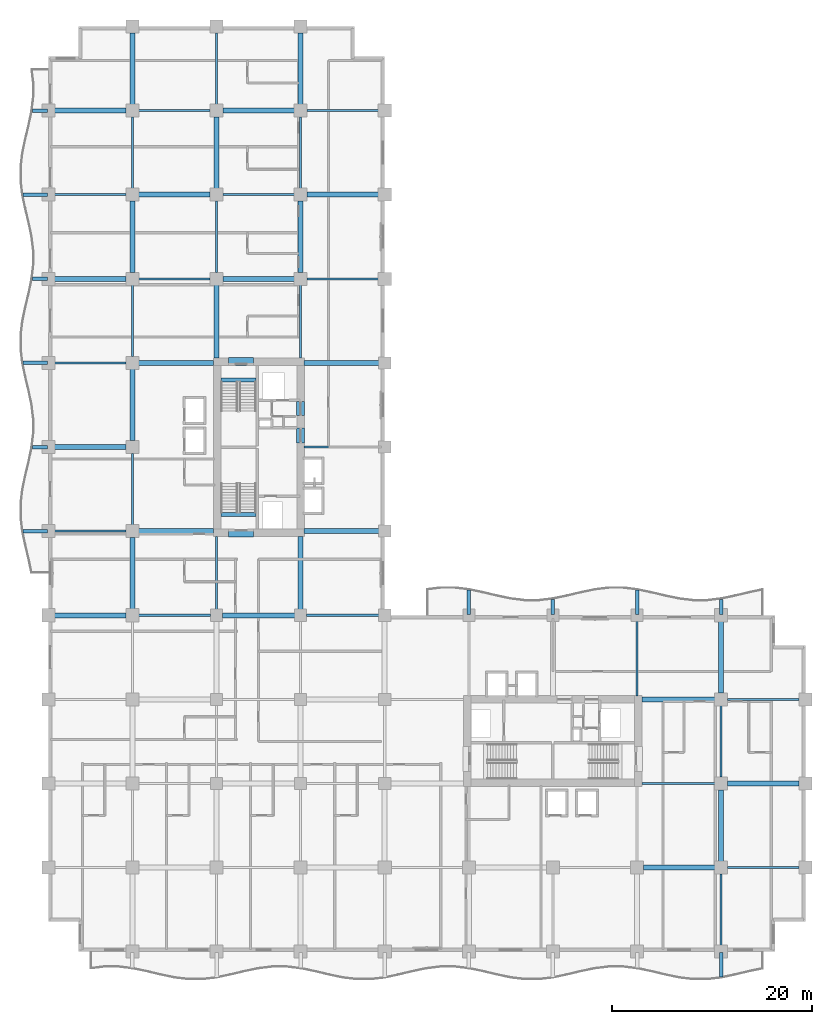
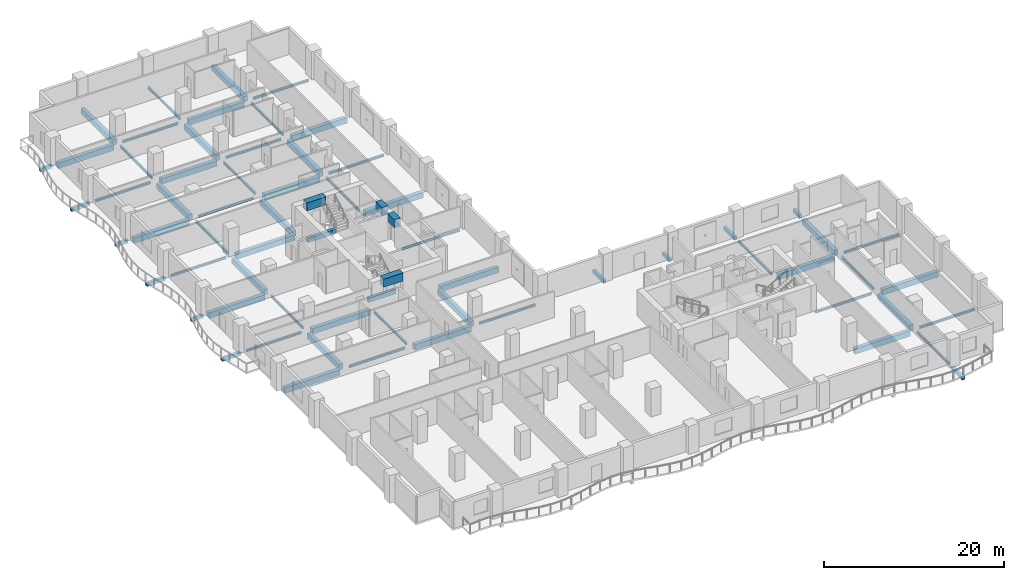
# One storey, part 2 of 18: 69 beams.
"""IFC4 building model written with IfcOpenShell, lengths in metres."""

from ifc_helpers import new_model, si_unit, direction, frame, origin, origin_2d, place, context, subcontext, project, spatial, rectangle, i_section, extrude, material, material_profile, profile_set, type_object, element, save


model = new_model("IFC4")

# Units and contexts
model_context = context("Model", 3, precision=1e-05, world=origin(), true_north=direction((0.0, 1.0)))
body_context = subcontext(model_context, "Body", "Model", "MODEL_VIEW")
ifc_project = project(units=[si_unit("LENGTHUNIT", "METRE"), si_unit("AREAUNIT", "SQUARE_METRE"), si_unit("VOLUMEUNIT", "CUBIC_METRE"), si_unit("PLANEANGLEUNIT", "RADIAN"), si_unit("MASSUNIT", "GRAM", prefix="KILO")], contexts=[model_context])

# Site, building, storey
site_placement = place(None, origin())
site = spatial("IfcSite", under=ifc_project, at=site_placement, CompositionType="ELEMENT")
building_placement = place(site_placement, origin())
building = spatial("IfcBuilding", under=site, at=building_placement, Name="Koriwani Terraces Tower", CompositionType="ELEMENT")
storey_placement = place(building_placement, frame((0.0, 0.0, 100.0)))
storey = spatial("IfcBuildingStorey", under=building, at=storey_placement, Name="L23", CompositionType="ELEMENT", Elevation=100.0)

# Beams
ifc_material_1 = material(Name="Concrete C40/50", Category="concrete")
ifc_material_profile_1 = material_profile(ifc_material_1, rectangle(XDim=0.35009765625, YDim=0.449951171875, at=origin_2d()), Name="Concrete C40/50", Category="LoadBearing")
ifc_profile_set_1 = profile_set([ifc_material_profile_1], Name="Concrete C40/50")
beam_type_1 = type_object("IfcBeamType", Name="BEAM_RC_BALCONY_RIB_350X450", PredefinedType="JOIST", material=ifc_profile_set_1)
for number, where, z_axis, x_axis, name in (
    (1, (67.199951171875, -2.509521484375, -0.47509765625), (0.0, 1.0, 0.0), (-1.0, 0.0, 0.0), "L23 Balcony Bracket Rib S-8"),
    (2, (-2.509521484375, 42.0, -0.47509765625), (1.0, 0.0, 0.0), (0.0, 1.0, 0.0), "L23 Balcony Bracket Rib W-1"),
):
    element("IfcBeam", number, at=place(storey_placement, frame(where, z_axis=z_axis, x_axis=x_axis)), inside=storey, type_object=beam_type_1, Name=name, PredefinedType="JOIST", context=body_context, shape_type="SweptSolid", body=[
        extrude(rectangle(XDim=0.35009765625, YDim=0.449951171875, at=origin_2d()), origin(), (0.0, 0.0, 1.0), 2.409423828125),
    ])
beam_1_placement = place(storey_placement, frame((-1.59033203125, 50.39990234375, -0.47509765625), z_axis=(1.0, 0.0, 0.0), x_axis=(0.0, 1.0, 0.0)))
element("IfcBeam", 3, at=beam_1_placement, inside=storey, type_object=beam_type_1, Name="L23 Balcony Bracket Rib W-2", PredefinedType="JOIST", context=body_context, shape_type="SweptSolid", body=[
    extrude(rectangle(XDim=0.35009765625, YDim=0.449951171875, at=origin_2d()), origin(), (0.0, 0.0, 1.0), 1.490234375),
])
beam_2_placement = place(storey_placement, frame((-2.509521484375, 58.800048828125, -0.47509765625), z_axis=(1.0, 0.0, 0.0), x_axis=(0.0, 1.0, 0.0)))
element("IfcBeam", 4, at=beam_2_placement, inside=storey, type_object=beam_type_1, Name="L23 Balcony Bracket Rib W-3", PredefinedType="JOIST", context=body_context, shape_type="SweptSolid", body=[
    extrude(rectangle(XDim=0.35009765625, YDim=0.449951171875, at=origin_2d()), origin(), (0.0, 0.0, 1.0), 2.409423828125),
])
beam_3_placement = place(storey_placement, frame((-1.59033203125, 67.199951171875, -0.47509765625), z_axis=(1.0, 0.0, 0.0), x_axis=(0.0, 1.0, 0.0)))
element("IfcBeam", 5, at=beam_3_placement, inside=storey, type_object=beam_type_1, Name="L23 Balcony Bracket Rib W-4", PredefinedType="JOIST", context=body_context, shape_type="SweptSolid", body=[
    extrude(rectangle(XDim=0.35009765625, YDim=0.449951171875, at=origin_2d()), origin(), (0.0, 0.0, 1.0), 1.490234375),
])
beam_4_placement = place(storey_placement, frame((-2.509521484375, 75.60009765625, -0.47509765625), z_axis=(1.0, 0.0, 0.0), x_axis=(0.0, 1.0, 0.0)))
element("IfcBeam", 6, at=beam_4_placement, inside=storey, type_object=beam_type_1, Name="L23 Balcony Bracket Rib W-5", PredefinedType="JOIST", context=body_context, shape_type="SweptSolid", body=[
    extrude(rectangle(XDim=0.35009765625, YDim=0.449951171875, at=origin_2d()), origin(), (0.0, 0.0, 1.0), 2.409423828125),
])
beam_5_placement = place(storey_placement, frame((-1.59033203125, 84.0, -0.47509765625), z_axis=(1.0, 0.0, 0.0), x_axis=(0.0, 1.0, 0.0)))
element("IfcBeam", 7, at=beam_5_placement, inside=storey, type_object=beam_type_1, Name="L23 Balcony Bracket Rib W-6", PredefinedType="JOIST", context=body_context, shape_type="SweptSolid", body=[
    extrude(rectangle(XDim=0.35009765625, YDim=0.449951171875, at=origin_2d()), origin(), (0.0, 0.0, 1.0), 1.490234375),
])
beam_6_placement = place(storey_placement, frame((42.0, 33.699951171875, -0.47509765625), z_axis=(0.0, 1.0, 0.0), x_axis=(-1.0, 0.0, 0.0)))
element("IfcBeam", 8, at=beam_6_placement, inside=storey, type_object=beam_type_1, Name="L23 Balcony Bracket Rib NE-1", PredefinedType="JOIST", context=body_context, shape_type="SweptSolid", body=[
    extrude(rectangle(XDim=0.35009765625, YDim=0.449951171875, at=origin_2d()), origin(), (0.0, 0.0, 1.0), 2.40966796875),
])
beam_7_placement = place(storey_placement, frame((50.39990234375, 33.699951171875, -0.47509765625), z_axis=(0.0, 1.0, 0.0), x_axis=(-1.0, 0.0, 0.0)))
element("IfcBeam", 9, at=beam_7_placement, inside=storey, type_object=beam_type_1, Name="L23 Balcony Bracket Rib NE-2", PredefinedType="JOIST", context=body_context, shape_type="SweptSolid", body=[
    extrude(rectangle(XDim=0.35009765625, YDim=0.449951171875, at=origin_2d()), origin(), (0.0, 0.0, 1.0), 1.490478515625),
])
beam_8_placement = place(storey_placement, frame((58.800048828125, 33.699951171875, -0.47509765625), z_axis=(0.0, 1.0, 0.0), x_axis=(-1.0, 0.0, 0.0)))
element("IfcBeam", 10, at=beam_8_placement, inside=storey, type_object=beam_type_1, Name="L23 Balcony Bracket Rib NE-3", PredefinedType="JOIST", context=body_context, shape_type="SweptSolid", body=[
    extrude(rectangle(XDim=0.35009765625, YDim=0.449951171875, at=origin_2d()), origin(), (0.0, 0.0, 1.0), 2.40966796875),
])
beam_9_placement = place(storey_placement, frame((67.199951171875, 33.699951171875, -0.47509765625), z_axis=(0.0, 1.0, 0.0), x_axis=(-1.0, 0.0, 0.0)))
element("IfcBeam", 11, at=beam_9_placement, inside=storey, type_object=beam_type_1, Name="L23 Balcony Bracket Rib NE-4", PredefinedType="JOIST", context=body_context, shape_type="SweptSolid", body=[
    extrude(rectangle(XDim=0.35009765625, YDim=0.449951171875, at=origin_2d()), origin(), (0.0, 0.0, 1.0), 1.490478515625),
])
ifc_material_2 = material(Name="Concrete C60/75", Category="concrete")
ifc_material_profile_2 = material_profile(ifc_material_2, rectangle(XDim=0.800048828125, YDim=1.10009765625, at=origin_2d()), Name="Concrete C60/75", Category="LoadBearing")
ifc_profile_set_2 = profile_set([ifc_material_profile_2], Name="Concrete C60/75")
beam_type_2 = type_object("IfcBeamType", Name="BEAM_RC_COUPLING_800X1100", PredefinedType="LINTEL", material=ifc_profile_set_2)
beam_10_placement = place(storey_placement, frame((25.199951171875, 50.800048828125, 3.0), z_axis=(0.0, 1.0, 0.0), x_axis=(-1.0, 0.0, 0.0)))
element("IfcBeam", 12, at=beam_10_placement, inside=storey, type_object=beam_type_2, Name="L23 Core Coupling Lintel Beam WE1", PredefinedType="LINTEL", context=body_context, shape_type="SweptSolid", body=[
    extrude(rectangle(XDim=0.800048828125, YDim=1.10009765625, at=origin_2d()), origin(), (0.0, 0.0, 1.0), 1.47998046875),
])
beam_11_placement = place(storey_placement, frame((25.199951171875, 53.550048828125, 3.0), z_axis=(0.0, 1.0, 0.0), x_axis=(-1.0, 0.0, 0.0)))
element("IfcBeam", 13, at=beam_11_placement, inside=storey, type_object=beam_type_2, Name="L23 Core Coupling Lintel Beam WE2", PredefinedType="LINTEL", context=body_context, shape_type="SweptSolid", body=[
    extrude(rectangle(XDim=0.800048828125, YDim=1.10009765625, at=origin_2d()), origin(), (0.0, 0.0, 1.0), 1.39990234375),
])
for number, where, z_axis, x_axis, name in (
    (14, (18.0, 41.824951171875, 3.0), (1.0, 0.0, 0.0), (0.0, 1.0, 0.0), "L23 Core Coupling Lintel Beam WS"),
    (15, (18.0, 58.925048828125, 3.0), (1.0, 0.0, 0.0), (0.0, 1.0, 0.0), "L23 Core Coupling Lintel Beam WN"),
):
    element("IfcBeam", number, at=place(storey_placement, frame(where, z_axis=z_axis, x_axis=x_axis)), inside=storey, type_object=beam_type_2, Name=name, PredefinedType="LINTEL", context=body_context, shape_type="SweptSolid", body=[
        extrude(rectangle(XDim=0.800048828125, YDim=1.10009765625, at=origin_2d()), origin(), (0.0, 0.0, 1.0), 2.5),
    ])
ifc_material_profile_3 = material_profile(ifc_material_1, rectangle(XDim=0.39990234375, YDim=0.60009765625, at=origin_2d()), Name="Concrete C40/50", Category="LoadBearing")
ifc_profile_set_3 = profile_set([ifc_material_profile_3], Name="Concrete C40/50")
beam_type_3 = type_object("IfcBeamType", Name="BEAM_RC_GRID_400X600", PredefinedType="BEAM", material=ifc_profile_set_3)
for number, where, z_axis, x_axis, name in (
    (16, (17.25, 43.655029296875, -0.300048828125), (1.0, 0.0, 0.0), (0.0, 1.0, 0.0), "L23 Stairwell Header Trimmer Beam ST-W1"),
    (17, (17.25, 57.094970703125, -0.300048828125), (1.0, 0.0, 0.0), (0.0, 1.0, 0.0), "L23 Stairwell Header Trimmer Beam ST-W2"),
):
    element("IfcBeam", number, at=place(storey_placement, frame(where, z_axis=z_axis, x_axis=x_axis)), inside=storey, type_object=beam_type_3, Name=name, PredefinedType="BEAM", context=body_context, shape_type="SweptSolid", body=[
        extrude(rectangle(XDim=0.39990234375, YDim=0.60009765625, at=origin_2d()), origin(), (0.0, 0.0, 1.0), 3.5),
    ])
ifc_material_3 = material(Name="Concrete C50/60", Category="concrete")
ifc_material_profile_4 = material_profile(ifc_material_3, rectangle(XDim=0.5, YDim=0.75, at=origin_2d()), Name="Concrete C50/60", Category="LoadBearing")
ifc_profile_set_4 = profile_set([ifc_material_profile_4], Name="Concrete C50/60")
beam_type_4 = type_object("IfcBeamType", Name="BEAM_RC_GRID_500X750", PredefinedType="BEAM", material=ifc_profile_set_4)
beam_12_placement = place(storey_placement, frame((59.429931640625, 8.39990234375, -0.625), z_axis=(1.0, 0.0, 0.0), x_axis=(0.0, 1.0, 0.0)))
element("IfcBeam", 18, at=beam_12_placement, inside=storey, type_object=beam_type_4, Name="L23 Grid Beam B (58.8-67.2m)", PredefinedType="BEAM", context=body_context, shape_type="SweptSolid", body=[
    extrude(rectangle(XDim=0.5, YDim=0.75, at=origin_2d()), origin(), (0.0, 0.0, 1.0), 7.14013671875),
])
beam_13_placement = place(storey_placement, frame((67.830078125, 16.800048828125, -0.625), z_axis=(1.0, 0.0, 0.0), x_axis=(0.0, 1.0, 0.0)))
element("IfcBeam", 19, at=beam_13_placement, inside=storey, type_object=beam_type_4, Name="L23 Grid Beam C (67.2-75.6m)", PredefinedType="BEAM", context=body_context, shape_type="SweptSolid", body=[
    extrude(rectangle(XDim=0.5, YDim=0.75, at=origin_2d()), origin(), (0.0, 0.0, 1.0), 7.139892578125),
])
beam_14_placement = place(storey_placement, frame((59.280029296875, 25.199951171875, -0.625), z_axis=(1.0, 0.0, 0.0), x_axis=(0.0, 1.0, 0.0)))
element("IfcBeam", 20, at=beam_14_placement, inside=storey, type_object=beam_type_4, Name="L23 Grid Beam D (58.8-67.2m)", PredefinedType="BEAM", context=body_context, shape_type="SweptSolid", body=[
    extrude(rectangle(XDim=0.5, YDim=0.75, at=origin_2d()), origin(), (0.0, 0.0, 1.0), 7.2900390625),
])
beam_15_placement = place(storey_placement, frame((0.6298828125, 33.60009765625, -0.625), z_axis=(1.0, 0.0, 0.0), x_axis=(0.0, 1.0, 0.0)))
element("IfcBeam", 21, at=beam_15_placement, inside=storey, type_object=beam_type_4, Name="L23 Grid Beam E (0.0-8.4m)", PredefinedType="BEAM", context=body_context, shape_type="SweptSolid", body=[
    extrude(rectangle(XDim=0.5, YDim=0.75, at=origin_2d()), origin(), (0.0, 0.0, 1.0), 7.14013671875),
])
beam_16_placement = place(storey_placement, frame((17.3798828125, 33.60009765625, -0.625), z_axis=(1.0, 0.0, 0.0), x_axis=(0.0, 1.0, 0.0)))
element("IfcBeam", 22, at=beam_16_placement, inside=storey, type_object=beam_type_4, Name="L23 Grid Beam E (16.8-25.2m)", PredefinedType="BEAM", context=body_context, shape_type="SweptSolid", body=[
    extrude(rectangle(XDim=0.5, YDim=0.75, at=origin_2d()), origin(), (0.0, 0.0, 1.0), 7.240234375),
])
beam_17_placement = place(storey_placement, frame((9.030029296875, 42.0, -0.625), z_axis=(1.0, 0.0, 0.0), x_axis=(0.0, 1.0, 0.0)))
element("IfcBeam", 23, at=beam_17_placement, inside=storey, type_object=beam_type_4, Name="L23 Grid Beam F (8.4-16.8m)", PredefinedType="BEAM", context=body_context, shape_type="SweptSolid", body=[
    extrude(rectangle(XDim=0.5, YDim=0.75, at=origin_2d()), origin(), (0.0, 0.0, 1.0), 7.489990234375),
])
beam_18_placement = place(storey_placement, frame((25.554931640625, 42.0, -0.625), z_axis=(1.0, 0.0, 0.0), x_axis=(0.0, 1.0, 0.0)))
element("IfcBeam", 24, at=beam_18_placement, inside=storey, type_object=beam_type_4, Name="L23 Grid Beam F (25.2-33.6m)", PredefinedType="BEAM", context=body_context, shape_type="SweptSolid", body=[
    extrude(rectangle(XDim=0.5, YDim=0.75, at=origin_2d()), origin(), (0.0, 0.0, 1.0), 7.465087890625),
])
beam_19_placement = place(storey_placement, frame((0.6298828125, 50.39990234375, -0.625), z_axis=(1.0, 0.0, 0.0), x_axis=(0.0, 1.0, 0.0)))
element("IfcBeam", 25, at=beam_19_placement, inside=storey, type_object=beam_type_4, Name="L23 Grid Beam G (0.0-8.4m)", PredefinedType="BEAM", context=body_context, shape_type="SweptSolid", body=[
    extrude(rectangle(XDim=0.5, YDim=0.75, at=origin_2d()), origin(), (0.0, 0.0, 1.0), 7.14013671875),
])
beam_20_placement = place(storey_placement, frame((9.030029296875, 58.800048828125, -0.625), z_axis=(1.0, 0.0, 0.0), x_axis=(0.0, 1.0, 0.0)))
element("IfcBeam", 26, at=beam_20_placement, inside=storey, type_object=beam_type_4, Name="L23 Grid Beam H (8.4-16.8m)", PredefinedType="BEAM", context=body_context, shape_type="SweptSolid", body=[
    extrude(rectangle(XDim=0.5, YDim=0.75, at=origin_2d()), origin(), (0.0, 0.0, 1.0), 7.489990234375),
])
beam_21_placement = place(storey_placement, frame((25.554931640625, 58.800048828125, -0.625), z_axis=(1.0, 0.0, 0.0), x_axis=(0.0, 1.0, 0.0)))
element("IfcBeam", 27, at=beam_21_placement, inside=storey, type_object=beam_type_4, Name="L23 Grid Beam H (25.2-33.6m)", PredefinedType="BEAM", context=body_context, shape_type="SweptSolid", body=[
    extrude(rectangle(XDim=0.5, YDim=0.75, at=origin_2d()), origin(), (0.0, 0.0, 1.0), 7.465087890625),
])
for number, where, z_axis, x_axis, name in (
    (28, (0.6298828125, 67.199951171875, -0.625), (1.0, 0.0, 0.0), (0.0, 1.0, 0.0), "L23 Grid Beam I (0.0-8.4m)"),
    (29, (17.429931640625, 67.199951171875, -0.625), (1.0, 0.0, 0.0), (0.0, 1.0, 0.0), "L23 Grid Beam I (16.8-25.2m)"),
):
    element("IfcBeam", number, at=place(storey_placement, frame(where, z_axis=z_axis, x_axis=x_axis)), inside=storey, type_object=beam_type_4, Name=name, PredefinedType="BEAM", context=body_context, shape_type="SweptSolid", body=[
        extrude(rectangle(XDim=0.5, YDim=0.75, at=origin_2d()), origin(), (0.0, 0.0, 1.0), 7.14013671875),
    ])
for number, where, z_axis, x_axis, name in (
    (30, (9.030029296875, 75.60009765625, -0.625), (1.0, 0.0, 0.0), (0.0, 1.0, 0.0), "L23 Grid Beam J (8.4-16.8m)"),
    (31, (25.830078125, 75.60009765625, -0.625), (1.0, 0.0, 0.0), (0.0, 1.0, 0.0), "L23 Grid Beam J (25.2-33.6m)"),
):
    element("IfcBeam", number, at=place(storey_placement, frame(where, z_axis=z_axis, x_axis=x_axis)), inside=storey, type_object=beam_type_4, Name=name, PredefinedType="BEAM", context=body_context, shape_type="SweptSolid", body=[
        extrude(rectangle(XDim=0.5, YDim=0.75, at=origin_2d()), origin(), (0.0, 0.0, 1.0), 7.139892578125),
    ])
for number, where, z_axis, x_axis, name in (
    (32, (0.6298828125, 84.0, -0.625), (1.0, 0.0, 0.0), (0.0, 1.0, 0.0), "L23 Grid Beam K (0.0-8.4m)"),
    (33, (17.429931640625, 84.0, -0.625), (1.0, 0.0, 0.0), (0.0, 1.0, 0.0), "L23 Grid Beam K (16.8-25.2m)"),
    (34, (8.39990234375, 34.22998046875, -0.625), (0.0, 1.0, 0.0), (-1.0, 0.0, 0.0), "L23 Grid Beam 2 (33.6-42.0m)"),
):
    element("IfcBeam", number, at=place(storey_placement, frame(where, z_axis=z_axis, x_axis=x_axis)), inside=storey, type_object=beam_type_4, Name=name, PredefinedType="BEAM", context=body_context, shape_type="SweptSolid", body=[
        extrude(rectangle(XDim=0.5, YDim=0.75, at=origin_2d()), origin(), (0.0, 0.0, 1.0), 7.14013671875),
    ])
for number, where, z_axis, x_axis, name in (
    (35, (8.39990234375, 51.030029296875, -0.625), (0.0, 1.0, 0.0), (-1.0, 0.0, 0.0), "L23 Grid Beam 2 (50.4-58.8m)"),
    (36, (8.39990234375, 67.830078125, -0.625), (0.0, 1.0, 0.0), (-1.0, 0.0, 0.0), "L23 Grid Beam 2 (67.2-75.6m)"),
):
    element("IfcBeam", number, at=place(storey_placement, frame(where, z_axis=z_axis, x_axis=x_axis)), inside=storey, type_object=beam_type_4, Name=name, PredefinedType="BEAM", context=body_context, shape_type="SweptSolid", body=[
        extrude(rectangle(XDim=0.5, YDim=0.75, at=origin_2d()), origin(), (0.0, 0.0, 1.0), 7.139892578125),
    ])
beam_22_placement = place(storey_placement, frame((8.39990234375, 84.6298828125, -0.625), z_axis=(0.0, 1.0, 0.0), x_axis=(-1.0, 0.0, 0.0)))
element("IfcBeam", 37, at=beam_22_placement, inside=storey, type_object=beam_type_4, Name="L23 Grid Beam 2 (84.0-92.4m)", PredefinedType="BEAM", context=body_context, shape_type="SweptSolid", body=[
    extrude(rectangle(XDim=0.5, YDim=0.75, at=origin_2d()), origin(), (0.0, 0.0, 1.0), 7.14013671875),
])
beam_23_placement = place(storey_placement, frame((16.800048828125, 59.280029296875, -0.625), z_axis=(0.0, 1.0, 0.0), x_axis=(-1.0, 0.0, 0.0)))
element("IfcBeam", 38, at=beam_23_placement, inside=storey, type_object=beam_type_4, Name="L23 Grid Beam 3 (58.8-67.2m)", PredefinedType="BEAM", context=body_context, shape_type="SweptSolid", body=[
    extrude(rectangle(XDim=0.5, YDim=0.75, at=origin_2d()), origin(), (0.0, 0.0, 1.0), 7.2900390625),
])
beam_24_placement = place(storey_placement, frame((16.800048828125, 76.22998046875, -0.625), z_axis=(0.0, 1.0, 0.0), x_axis=(-1.0, 0.0, 0.0)))
element("IfcBeam", 39, at=beam_24_placement, inside=storey, type_object=beam_type_4, Name="L23 Grid Beam 3 (75.6-84.0m)", PredefinedType="BEAM", context=body_context, shape_type="SweptSolid", body=[
    extrude(rectangle(XDim=0.5, YDim=0.75, at=origin_2d()), origin(), (0.0, 0.0, 1.0), 7.14013671875),
])
beam_25_placement = place(storey_placement, frame((25.199951171875, 34.179931640625, -0.625), z_axis=(0.0, 1.0, 0.0), x_axis=(-1.0, 0.0, 0.0)))
element("IfcBeam", 40, at=beam_25_placement, inside=storey, type_object=beam_type_4, Name="L23 Grid Beam 4 (33.6-42.0m)", PredefinedType="BEAM", context=body_context, shape_type="SweptSolid", body=[
    extrude(rectangle(XDim=0.5, YDim=0.75, at=origin_2d()), origin(), (0.0, 0.0, 1.0), 7.2900390625),
])
beam_26_placement = place(storey_placement, frame((25.199951171875, 67.830078125, -0.625), z_axis=(0.0, 1.0, 0.0), x_axis=(-1.0, 0.0, 0.0)))
element("IfcBeam", 41, at=beam_26_placement, inside=storey, type_object=beam_type_4, Name="L23 Grid Beam 4 (67.2-75.6m)", PredefinedType="BEAM", context=body_context, shape_type="SweptSolid", body=[
    extrude(rectangle(XDim=0.5, YDim=0.75, at=origin_2d()), origin(), (0.0, 0.0, 1.0), 7.139892578125),
])
beam_27_placement = place(storey_placement, frame((25.199951171875, 84.6298828125, -0.625), z_axis=(0.0, 1.0, 0.0), x_axis=(-1.0, 0.0, 0.0)))
element("IfcBeam", 42, at=beam_27_placement, inside=storey, type_object=beam_type_4, Name="L23 Grid Beam 4 (84.0-92.4m)", PredefinedType="BEAM", context=body_context, shape_type="SweptSolid", body=[
    extrude(rectangle(XDim=0.5, YDim=0.75, at=origin_2d()), origin(), (0.0, 0.0, 1.0), 7.14013671875),
])
for number, where, z_axis, x_axis, name in (
    (43, (67.199951171875, 9.030029296875, -0.625), (0.0, 1.0, 0.0), (-1.0, 0.0, 0.0), "L23 Grid Beam 9 (8.4-16.8m)"),
    (44, (67.199951171875, 25.830078125, -0.625), (0.0, 1.0, 0.0), (-1.0, 0.0, 0.0), "L23 Grid Beam 9 (25.2-33.6m)"),
):
    element("IfcBeam", number, at=place(storey_placement, frame(where, z_axis=z_axis, x_axis=x_axis)), inside=storey, type_object=beam_type_4, Name=name, PredefinedType="BEAM", context=body_context, shape_type="SweptSolid", body=[
        extrude(rectangle(XDim=0.5, YDim=0.75, at=origin_2d()), origin(), (0.0, 0.0, 1.0), 7.139892578125),
    ])
ifc_material_4 = material(Name="Steel ASTM A572 Grade 50", Category="steel")
ifc_material_profile_5 = material_profile(ifc_material_4, i_section(OverallWidth=0.205078125, OverallDepth=0.31005859375, WebThickness=0.009521484375, FlangeThickness=0.016357421875, at=origin_2d()), Name="Steel ASTM A572 Grade 50", Category="LoadBearing")
ifc_profile_set_5 = profile_set([ifc_material_profile_5], Name="Steel ASTM A572 Grade 50")
beam_type_5 = type_object("IfcBeamType", Name="STEEL_BEAM_W310X74", PredefinedType="JOIST", material=ifc_profile_set_5)
beam_28_placement = place(storey_placement, frame((67.830078125, 8.39990234375, -0.405029296875), z_axis=(1.0, 0.0, 0.0), x_axis=(0.0, 1.0, 0.0)))
element("IfcBeam", 45, at=beam_28_placement, inside=storey, type_object=beam_type_5, Name="L23 Grid Beam B (67.2-75.6m)", PredefinedType="JOIST", context=body_context, shape_type="SweptSolid", body=[
    extrude(i_section(OverallWidth=0.205078125, OverallDepth=0.31005859375, WebThickness=0.009521484375, FlangeThickness=0.016357421875, at=origin_2d()), origin(), (0.0, 0.0, 1.0), 7.139892578125),
])
beam_29_placement = place(storey_placement, frame((59.280029296875, 16.800048828125, -0.405029296875), z_axis=(1.0, 0.0, 0.0), x_axis=(0.0, 1.0, 0.0)))
element("IfcBeam", 46, at=beam_29_placement, inside=storey, type_object=beam_type_5, Name="L23 Grid Beam C (58.8-67.2m)", PredefinedType="JOIST", context=body_context, shape_type="SweptSolid", body=[
    extrude(i_section(OverallWidth=0.205078125, OverallDepth=0.31005859375, WebThickness=0.009521484375, FlangeThickness=0.016357421875, at=origin_2d()), origin(), (0.0, 0.0, 1.0), 7.2900390625),
])
beam_30_placement = place(storey_placement, frame((67.830078125, 25.199951171875, -0.405029296875), z_axis=(1.0, 0.0, 0.0), x_axis=(0.0, 1.0, 0.0)))
element("IfcBeam", 47, at=beam_30_placement, inside=storey, type_object=beam_type_5, Name="L23 Grid Beam D (67.2-75.6m)", PredefinedType="JOIST", context=body_context, shape_type="SweptSolid", body=[
    extrude(i_section(OverallWidth=0.205078125, OverallDepth=0.31005859375, WebThickness=0.009521484375, FlangeThickness=0.016357421875, at=origin_2d()), origin(), (0.0, 0.0, 1.0), 7.139892578125),
])
beam_31_placement = place(storey_placement, frame((9.030029296875, 33.60009765625, -0.405029296875), z_axis=(1.0, 0.0, 0.0), x_axis=(0.0, 1.0, 0.0)))
element("IfcBeam", 48, at=beam_31_placement, inside=storey, type_object=beam_type_5, Name="L23 Grid Beam E (8.4-16.8m)", PredefinedType="JOIST", context=body_context, shape_type="SweptSolid", body=[
    extrude(i_section(OverallWidth=0.205078125, OverallDepth=0.31005859375, WebThickness=0.009521484375, FlangeThickness=0.016357421875, at=origin_2d()), origin(), (0.0, 0.0, 1.0), 7.18994140625),
])
beam_32_placement = place(storey_placement, frame((25.780029296875, 33.60009765625, -0.405029296875), z_axis=(1.0, 0.0, 0.0), x_axis=(0.0, 1.0, 0.0)))
element("IfcBeam", 49, at=beam_32_placement, inside=storey, type_object=beam_type_5, Name="L23 Grid Beam E (25.2-33.6m)", PredefinedType="JOIST", context=body_context, shape_type="SweptSolid", body=[
    extrude(i_section(OverallWidth=0.205078125, OverallDepth=0.31005859375, WebThickness=0.009521484375, FlangeThickness=0.016357421875, at=origin_2d()), origin(), (0.0, 0.0, 1.0), 7.239990234375),
])
beam_33_placement = place(storey_placement, frame((0.6298828125, 42.0, -0.405029296875), z_axis=(1.0, 0.0, 0.0), x_axis=(0.0, 1.0, 0.0)))
element("IfcBeam", 50, at=beam_33_placement, inside=storey, type_object=beam_type_5, Name="L23 Grid Beam F (0.0-8.4m)", PredefinedType="JOIST", context=body_context, shape_type="SweptSolid", body=[
    extrude(i_section(OverallWidth=0.205078125, OverallDepth=0.31005859375, WebThickness=0.009521484375, FlangeThickness=0.016357421875, at=origin_2d()), origin(), (0.0, 0.0, 1.0), 7.14013671875),
])
beam_34_placement = place(storey_placement, frame((25.554931640625, 50.39990234375, -0.405029296875), z_axis=(1.0, 0.0, 0.0), x_axis=(0.0, 1.0, 0.0)))
element("IfcBeam", 51, at=beam_34_placement, inside=storey, type_object=beam_type_5, Name="L23 Grid Beam G (25.2-33.6m)", PredefinedType="JOIST", context=body_context, shape_type="SweptSolid", body=[
    extrude(i_section(OverallWidth=0.205078125, OverallDepth=0.31005859375, WebThickness=0.009521484375, FlangeThickness=0.016357421875, at=origin_2d()), origin(), (0.0, 0.0, 1.0), 7.465087890625),
])
beam_35_placement = place(storey_placement, frame((0.6298828125, 58.800048828125, -0.405029296875), z_axis=(1.0, 0.0, 0.0), x_axis=(0.0, 1.0, 0.0)))
element("IfcBeam", 52, at=beam_35_placement, inside=storey, type_object=beam_type_5, Name="L23 Grid Beam H (0.0-8.4m)", PredefinedType="JOIST", context=body_context, shape_type="SweptSolid", body=[
    extrude(i_section(OverallWidth=0.205078125, OverallDepth=0.31005859375, WebThickness=0.009521484375, FlangeThickness=0.016357421875, at=origin_2d()), origin(), (0.0, 0.0, 1.0), 7.14013671875),
])
for number, where, z_axis, x_axis, name in (
    (53, (9.030029296875, 67.199951171875, -0.405029296875), (1.0, 0.0, 0.0), (0.0, 1.0, 0.0), "L23 Grid Beam I (8.4-16.8m)"),
    (54, (25.830078125, 67.199951171875, -0.405029296875), (1.0, 0.0, 0.0), (0.0, 1.0, 0.0), "L23 Grid Beam I (25.2-33.6m)"),
):
    element("IfcBeam", number, at=place(storey_placement, frame(where, z_axis=z_axis, x_axis=x_axis)), inside=storey, type_object=beam_type_5, Name=name, PredefinedType="JOIST", context=body_context, shape_type="SweptSolid", body=[
        extrude(i_section(OverallWidth=0.205078125, OverallDepth=0.31005859375, WebThickness=0.009521484375, FlangeThickness=0.016357421875, at=origin_2d()), origin(), (0.0, 0.0, 1.0), 7.139892578125),
    ])
for number, where, z_axis, x_axis, name in (
    (55, (0.6298828125, 75.60009765625, -0.405029296875), (1.0, 0.0, 0.0), (0.0, 1.0, 0.0), "L23 Grid Beam J (0.0-8.4m)"),
    (56, (17.429931640625, 75.60009765625, -0.405029296875), (1.0, 0.0, 0.0), (0.0, 1.0, 0.0), "L23 Grid Beam J (16.8-25.2m)"),
):
    element("IfcBeam", number, at=place(storey_placement, frame(where, z_axis=z_axis, x_axis=x_axis)), inside=storey, type_object=beam_type_5, Name=name, PredefinedType="JOIST", context=body_context, shape_type="SweptSolid", body=[
        extrude(i_section(OverallWidth=0.205078125, OverallDepth=0.31005859375, WebThickness=0.009521484375, FlangeThickness=0.016357421875, at=origin_2d()), origin(), (0.0, 0.0, 1.0), 7.14013671875),
    ])
for number, where, z_axis, x_axis, name in (
    (57, (9.030029296875, 84.0, -0.405029296875), (1.0, 0.0, 0.0), (0.0, 1.0, 0.0), "L23 Grid Beam K (8.4-16.8m)"),
    (58, (25.830078125, 84.0, -0.405029296875), (1.0, 0.0, 0.0), (0.0, 1.0, 0.0), "L23 Grid Beam K (25.2-33.6m)"),
):
    element("IfcBeam", number, at=place(storey_placement, frame(where, z_axis=z_axis, x_axis=x_axis)), inside=storey, type_object=beam_type_5, Name=name, PredefinedType="JOIST", context=body_context, shape_type="SweptSolid", body=[
        extrude(i_section(OverallWidth=0.205078125, OverallDepth=0.31005859375, WebThickness=0.009521484375, FlangeThickness=0.016357421875, at=origin_2d()), origin(), (0.0, 0.0, 1.0), 7.139892578125),
    ])
for number, where, z_axis, x_axis, name in (
    (59, (8.39990234375, 42.6298828125, -0.405029296875), (0.0, 1.0, 0.0), (-1.0, 0.0, 0.0), "L23 Grid Beam 2 (42.0-50.4m)"),
    (60, (8.39990234375, 59.429931640625, -0.405029296875), (0.0, 1.0, 0.0), (-1.0, 0.0, 0.0), "L23 Grid Beam 2 (58.8-67.2m)"),
    (61, (8.39990234375, 76.22998046875, -0.405029296875), (0.0, 1.0, 0.0), (-1.0, 0.0, 0.0), "L23 Grid Beam 2 (75.6-84.0m)"),
):
    element("IfcBeam", number, at=place(storey_placement, frame(where, z_axis=z_axis, x_axis=x_axis)), inside=storey, type_object=beam_type_5, Name=name, PredefinedType="JOIST", context=body_context, shape_type="SweptSolid", body=[
        extrude(i_section(OverallWidth=0.205078125, OverallDepth=0.31005859375, WebThickness=0.009521484375, FlangeThickness=0.016357421875, at=origin_2d()), origin(), (0.0, 0.0, 1.0), 7.14013671875),
    ])
beam_36_placement = place(storey_placement, frame((16.800048828125, 34.179931640625, -0.405029296875), z_axis=(0.0, 1.0, 0.0), x_axis=(-1.0, 0.0, 0.0)))
element("IfcBeam", 62, at=beam_36_placement, inside=storey, type_object=beam_type_5, Name="L23 Grid Beam 3 (33.6-42.0m)", PredefinedType="JOIST", context=body_context, shape_type="SweptSolid", body=[
    extrude(i_section(OverallWidth=0.205078125, OverallDepth=0.31005859375, WebThickness=0.009521484375, FlangeThickness=0.016357421875, at=origin_2d()), origin(), (0.0, 0.0, 1.0), 7.2900390625),
])
beam_37_placement = place(storey_placement, frame((16.800048828125, 67.830078125, -0.405029296875), z_axis=(0.0, 1.0, 0.0), x_axis=(-1.0, 0.0, 0.0)))
element("IfcBeam", 63, at=beam_37_placement, inside=storey, type_object=beam_type_5, Name="L23 Grid Beam 3 (67.2-75.6m)", PredefinedType="JOIST", context=body_context, shape_type="SweptSolid", body=[
    extrude(i_section(OverallWidth=0.205078125, OverallDepth=0.31005859375, WebThickness=0.009521484375, FlangeThickness=0.016357421875, at=origin_2d()), origin(), (0.0, 0.0, 1.0), 7.139892578125),
])
beam_38_placement = place(storey_placement, frame((16.800048828125, 84.6298828125, -0.405029296875), z_axis=(0.0, 1.0, 0.0), x_axis=(-1.0, 0.0, 0.0)))
element("IfcBeam", 64, at=beam_38_placement, inside=storey, type_object=beam_type_5, Name="L23 Grid Beam 3 (84.0-92.4m)", PredefinedType="JOIST", context=body_context, shape_type="SweptSolid", body=[
    extrude(i_section(OverallWidth=0.205078125, OverallDepth=0.31005859375, WebThickness=0.009521484375, FlangeThickness=0.016357421875, at=origin_2d()), origin(), (0.0, 0.0, 1.0), 7.14013671875),
])
beam_39_placement = place(storey_placement, frame((25.199951171875, 59.280029296875, -0.405029296875), z_axis=(0.0, 1.0, 0.0), x_axis=(-1.0, 0.0, 0.0)))
element("IfcBeam", 65, at=beam_39_placement, inside=storey, type_object=beam_type_5, Name="L23 Grid Beam 4 (58.8-67.2m)", PredefinedType="JOIST", context=body_context, shape_type="SweptSolid", body=[
    extrude(i_section(OverallWidth=0.205078125, OverallDepth=0.31005859375, WebThickness=0.009521484375, FlangeThickness=0.016357421875, at=origin_2d()), origin(), (0.0, 0.0, 1.0), 7.2900390625),
])
beam_40_placement = place(storey_placement, frame((25.199951171875, 76.22998046875, -0.405029296875), z_axis=(0.0, 1.0, 0.0), x_axis=(-1.0, 0.0, 0.0)))
element("IfcBeam", 66, at=beam_40_placement, inside=storey, type_object=beam_type_5, Name="L23 Grid Beam 4 (75.6-84.0m)", PredefinedType="JOIST", context=body_context, shape_type="SweptSolid", body=[
    extrude(i_section(OverallWidth=0.205078125, OverallDepth=0.31005859375, WebThickness=0.009521484375, FlangeThickness=0.016357421875, at=origin_2d()), origin(), (0.0, 0.0, 1.0), 7.14013671875),
])
beam_41_placement = place(storey_placement, frame((58.800048828125, 25.554931640625, -0.405029296875), z_axis=(0.0, 1.0, 0.0), x_axis=(-1.0, 0.0, 0.0)))
element("IfcBeam", 67, at=beam_41_placement, inside=storey, type_object=beam_type_5, Name="L23 Grid Beam 8 (25.2-33.6m)", PredefinedType="JOIST", context=body_context, shape_type="SweptSolid", body=[
    extrude(i_section(OverallWidth=0.205078125, OverallDepth=0.31005859375, WebThickness=0.009521484375, FlangeThickness=0.016357421875, at=origin_2d()), origin(), (0.0, 0.0, 1.0), 7.465087890625),
])
for number, where, z_axis, x_axis, name in (
    (68, (67.199951171875, 0.6298828125, -0.405029296875), (0.0, 1.0, 0.0), (-1.0, 0.0, 0.0), "L23 Grid Beam 9 (0.0-8.4m)"),
    (69, (67.199951171875, 17.429931640625, -0.405029296875), (0.0, 1.0, 0.0), (-1.0, 0.0, 0.0), "L23 Grid Beam 9 (16.8-25.2m)"),
):
    element("IfcBeam", number, at=place(storey_placement, frame(where, z_axis=z_axis, x_axis=x_axis)), inside=storey, type_object=beam_type_5, Name=name, PredefinedType="JOIST", context=body_context, shape_type="SweptSolid", body=[
        extrude(i_section(OverallWidth=0.205078125, OverallDepth=0.31005859375, WebThickness=0.009521484375, FlangeThickness=0.016357421875, at=origin_2d()), origin(), (0.0, 0.0, 1.0), 7.14013671875),
    ])

save(model, "model.ifc")
